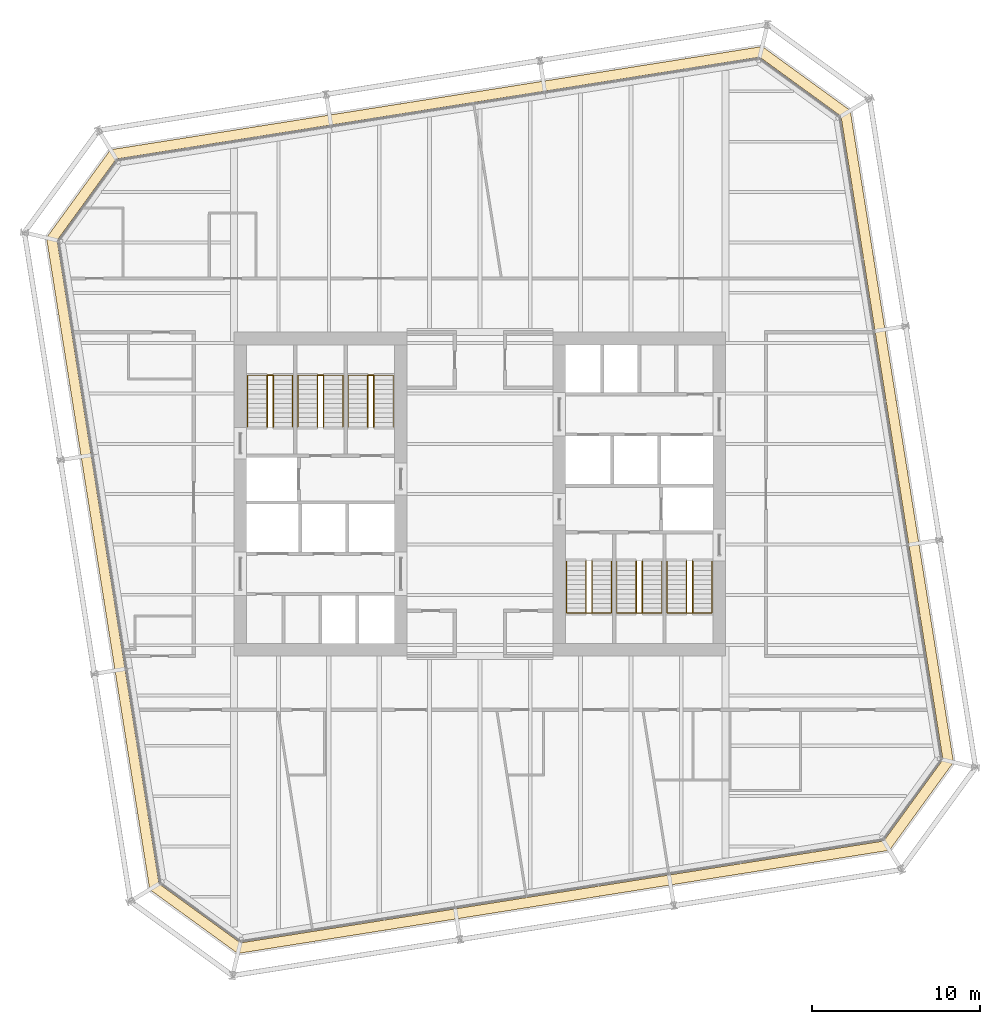
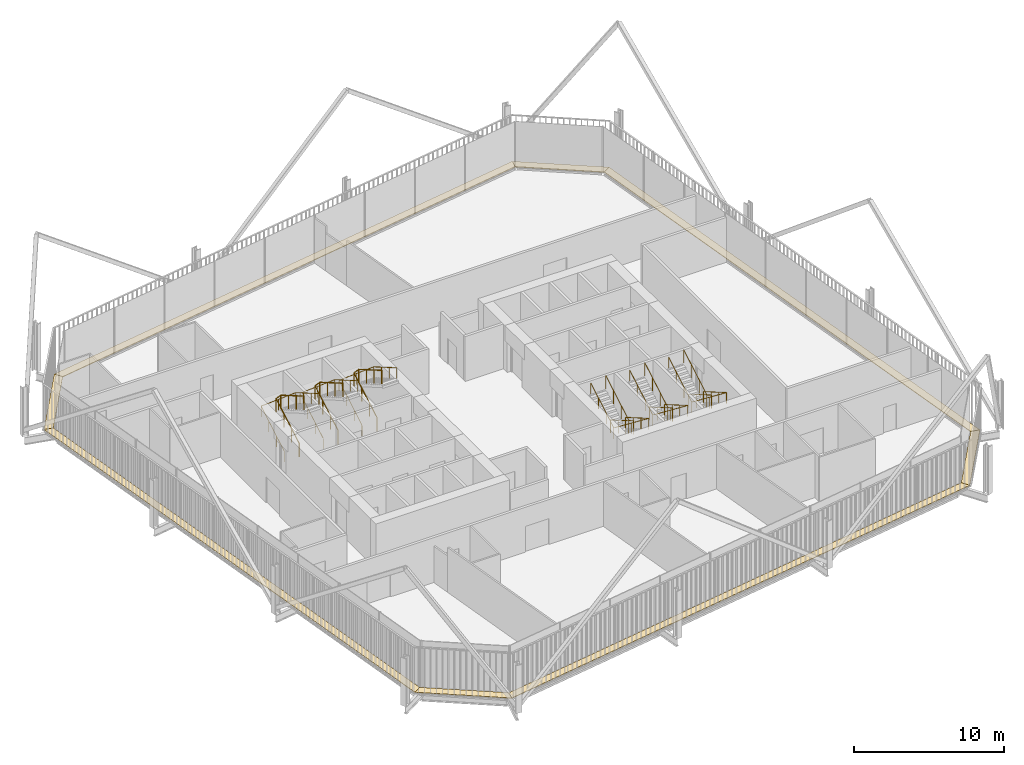
# One storey, part 22 of 22: 12 railings, 8 coverings.
"""IFC4 building model written with IfcOpenShell, lengths in metres."""

from ifc_helpers import new_model, si_unit, direction, frame, origin, origin_2d, place, context, subcontext, project, spatial, polyline, circle, outline, extrude, material, layer, layer_set, type_object, element, save


model = new_model("IFC4")

# Units and contexts
model_context = context("Model", 3, precision=1e-05, world=origin(), true_north=direction((0.0, 1.0)))
body_context = subcontext(model_context, "Body", "Model", "MODEL_VIEW")
ifc_project = project(units=[si_unit("LENGTHUNIT", "METRE"), si_unit("AREAUNIT", "SQUARE_METRE"), si_unit("VOLUMEUNIT", "CUBIC_METRE"), si_unit("PLANEANGLEUNIT", "RADIAN"), si_unit("MASSUNIT", "GRAM", prefix="KILO")], contexts=[model_context])

# Site, building, storey
site_placement = place(None, origin())
site = spatial("IfcSite", under=ifc_project, at=site_placement, CompositionType="ELEMENT")
building_placement = place(site_placement, origin())
building = spatial("IfcBuilding", under=site, at=building_placement, Name="Millrace Tower", CompositionType="ELEMENT")
storey_placement = place(building_placement, frame((0.0, 0.0, 168.5)))
storey = spatial("IfcBuildingStorey", under=building, at=storey_placement, Name="L38", CompositionType="ELEMENT", Elevation=168.5)

# Coverings
ifc_material_1 = material(Name="Steel ASTM A36", Category="steel")
ifc_layer = layer(ifc_material_1, 0.050048828125)
ifc_layer_set = layer_set([ifc_layer], Name="Steel ASTM A36")
covering_type = type_object("IfcCoveringType", Name="CAVITY CATWALK steel grating", PredefinedType="FLOORING", material=ifc_layer_set)
placement = place(storey_placement, frame((0.0, 0.0, 0.10009765625)))
element("IfcCovering", 1, at=placement, inside=storey, type_object=covering_type, Name="Cavity catwalk grating C-F01 L38 1", PredefinedType="FLOORING", context=body_context, shape_type="SweptSolid", body=[
    extrude(outline(polyline([(-19.67578125, -23.562255859375), (-14.425048828125, -27.376953125), (-14.2734375, -26.74560546875), (-19.1220703125, -23.222900390625), (-19.67578125, -23.562255859375)])), origin(), (0.0, 0.0, 1.0), 0.0498046875),
])
element("IfcCovering", 2, at=placement, inside=storey, type_object=covering_type, Name="Cavity catwalk grating C-F02 L38 1", PredefinedType="FLOORING", context=body_context, shape_type="SweptSolid", body=[
    extrude(outline(polyline([(-14.425048828125, -27.376953125), (24.412109375, -21.225830078125), (24.07275390625, -20.672119140625), (-14.2734375, -26.74560546875), (-14.425048828125, -27.376953125)])), origin(), (0.0, 0.0, 1.0), 0.0498046875),
])
element("IfcCovering", 3, at=placement, inside=storey, type_object=covering_type, Name="Cavity catwalk grating C-F03 L38 1", PredefinedType="FLOORING", context=body_context, shape_type="SweptSolid", body=[
    extrude(outline(polyline([(24.412109375, -21.225830078125), (28.22705078125, -15.97509765625), (27.595458984375, -15.823486328125), (24.07275390625, -20.672119140625), (24.412109375, -21.225830078125)])), origin(), (0.0, 0.0, 1.0), 0.0498046875),
])
element("IfcCovering", 4, at=placement, inside=storey, type_object=covering_type, Name="Cavity catwalk grating C-F04 L38 1", PredefinedType="FLOORING", context=body_context, shape_type="SweptSolid", body=[
    extrude(outline(polyline([(28.22705078125, -15.97509765625), (22.075927734375, 22.862060546875), (21.522216796875, 22.522705078125), (27.595458984375, -15.823486328125), (28.22705078125, -15.97509765625)])), origin(), (0.0, 0.0, 1.0), 0.0498046875),
])
element("IfcCovering", 5, at=placement, inside=storey, type_object=covering_type, Name="Cavity catwalk grating C-F05 L38 1", PredefinedType="FLOORING", context=body_context, shape_type="SweptSolid", body=[
    extrude(outline(polyline([(22.075927734375, 22.862060546875), (16.824951171875, 26.677001953125), (16.67333984375, 26.045654296875), (21.522216796875, 22.522705078125), (22.075927734375, 22.862060546875)])), origin(), (0.0, 0.0, 1.0), 0.0498046875),
])
element("IfcCovering", 6, at=placement, inside=storey, type_object=covering_type, Name="Cavity catwalk grating C-F06 L38 1", PredefinedType="FLOORING", context=body_context, shape_type="SweptSolid", body=[
    extrude(outline(polyline([(16.824951171875, 26.677001953125), (-22.01220703125, 20.52587890625), (-21.6728515625, 19.97216796875), (16.67333984375, 26.045654296875), (16.824951171875, 26.677001953125)])), origin(), (0.0, 0.0, 1.0), 0.0498046875),
])
element("IfcCovering", 7, at=placement, inside=storey, type_object=covering_type, Name="Cavity catwalk grating C-F07 L38 1", PredefinedType="FLOORING", context=body_context, shape_type="SweptSolid", body=[
    extrude(outline(polyline([(-22.01220703125, 20.52587890625), (-25.8271484375, 15.275146484375), (-25.195556640625, 15.12353515625), (-21.6728515625, 19.97216796875), (-22.01220703125, 20.52587890625)])), origin(), (0.0, 0.0, 1.0), 0.0498046875),
])
element("IfcCovering", 8, at=placement, inside=storey, type_object=covering_type, Name="Cavity catwalk grating C-F08 L38 1", PredefinedType="FLOORING", context=body_context, shape_type="SweptSolid", body=[
    extrude(outline(polyline([(-25.8271484375, 15.275146484375), (-19.67578125, -23.562255859375), (-19.1220703125, -23.222900390625), (-25.195556640625, 15.12353515625), (-25.8271484375, 15.275146484375)])), origin(), (0.0, 0.0, 1.0), 0.0498046875),
])

# Railings
ifc_material_2 = material(Name="Stainless steel ASTM A240 type 316", Category="steel")
railing_type_1 = type_object("IfcRailingType", Name="Stair guard 1100", PredefinedType="GUARDRAIL", material=ifc_material_2)
for number, where, name in (
    (9, (-12.679931640625, 4.0, 0.16259765625), "Stair guard 1 W L38"),
    (10, (-9.679931640625, 4.0, 0.16259765625), "Stair guard 2 W L38"),
    (11, (-6.679931640625, 4.0, 0.16259765625), "Stair guard 3 W L38"),
):
    element("IfcRailing", number, at=place(storey_placement, frame(where)), inside=storey, type_object=railing_type_1, Name=name, PredefinedType="GUARDRAIL", context=body_context, shape_type="SweptSolid", body=[
        extrude(circle(Radius=0.02392578125, at=origin_2d()), frame((0.0, 0.0, 1.076171875), z_axis=(0.0, 0.864920483161, 0.501908913857), x_axis=(-1.0, 0.0, 0.0)), (0.0, 0.0, 1.0), 3.56103515625),
        extrude(circle(Radius=0.02392578125, at=origin_2d()), frame((0.0, 3.080078125, 2.86328125), z_axis=(0.911295775139, 0.0, 0.411752365158), x_axis=(0.0, 1.0, 0.0)), (0.0, 0.0, 1.0), 0.394775390625),
        extrude(circle(Radius=0.02392578125, at=origin_2d()), frame((0.35986328125, 3.080078125, 3.02587890625), z_axis=(0.0, -0.864920483161, 0.501908913857), x_axis=(1.0, 0.0, 0.0)), (0.0, 0.0, 1.0), 3.56103515625),
        extrude(circle(Radius=0.02099609375, at=origin_2d()), origin(), (0.0, 0.0, 1.0), 1.052001953125),
        extrude(circle(Radius=0.02099609375, at=origin_2d()), frame((0.0, 1.026611328125, 0.595703125)), (0.0, 0.0, 1.0), 1.052001953125),
        extrude(circle(Radius=0.02099609375, at=origin_2d()), frame((0.0, 2.053466796875, 1.191650390625)), (0.0, 0.0, 1.0), 1.052001953125),
        extrude(circle(Radius=0.02099609375, at=origin_2d()), frame((0.0, 3.080078125, 1.787353515625)), (0.0, 0.0, 1.0), 1.052001953125),
        extrude(circle(Radius=0.02099609375, at=origin_2d()), frame((0.35986328125, 3.080078125, 1.949951171875)), (0.0, 0.0, 1.0), 1.052001953125),
        extrude(circle(Radius=0.02099609375, at=origin_2d()), frame((0.35986328125, 2.053466796875, 2.545654296875)), (0.0, 0.0, 1.0), 1.052001953125),
        extrude(circle(Radius=0.02099609375, at=origin_2d()), frame((0.35986328125, 1.026611328125, 3.1416015625)), (0.0, 0.0, 1.0), 1.052001953125),
        extrude(circle(Radius=0.02099609375, at=origin_2d()), frame((0.35986328125, 0.0, 3.7373046875)), (0.0, 0.0, 1.0), 1.052001953125),
    ])
for number, where, name in (
    (12, (12.679931640625, -4.0, 0.16259765625), "Stair guard 1 E L38"),
    (13, (9.679931640625, -4.0, 0.16259765625), "Stair guard 2 E L38"),
    (14, (6.679931640625, -4.0, 0.16259765625), "Stair guard 3 E L38"),
):
    element("IfcRailing", number, at=place(storey_placement, frame(where)), inside=storey, type_object=railing_type_1, Name=name, PredefinedType="GUARDRAIL", context=body_context, shape_type="SweptSolid", body=[
        extrude(circle(Radius=0.02392578125, at=origin_2d()), frame((0.0, 0.0, 1.076171875), z_axis=(0.0, -0.864920483161, 0.501908913857), x_axis=(1.0, 0.0, 0.0)), (0.0, 0.0, 1.0), 3.56103515625),
        extrude(circle(Radius=0.02392578125, at=origin_2d()), frame((0.0, -3.080078125, 2.86328125), z_axis=(-0.911295775139, 0.0, 0.411752365158), x_axis=(0.0, -1.0, 0.0)), (0.0, 0.0, 1.0), 0.394775390625),
        extrude(circle(Radius=0.02392578125, at=origin_2d()), frame((-0.35986328125, -3.080078125, 3.02587890625), z_axis=(0.0, 0.864920483161, 0.501908913857), x_axis=(-1.0, 0.0, 0.0)), (0.0, 0.0, 1.0), 3.56103515625),
        extrude(circle(Radius=0.02099609375, at=origin_2d()), origin(), (0.0, 0.0, 1.0), 1.052001953125),
        extrude(circle(Radius=0.02099609375, at=origin_2d()), frame((0.0, -1.026611328125, 0.595703125)), (0.0, 0.0, 1.0), 1.052001953125),
        extrude(circle(Radius=0.02099609375, at=origin_2d()), frame((0.0, -2.053466796875, 1.191650390625)), (0.0, 0.0, 1.0), 1.052001953125),
        extrude(circle(Radius=0.02099609375, at=origin_2d()), frame((0.0, -3.080078125, 1.787353515625)), (0.0, 0.0, 1.0), 1.052001953125),
        extrude(circle(Radius=0.02099609375, at=origin_2d()), frame((-0.35986328125, -3.080078125, 1.949951171875)), (0.0, 0.0, 1.0), 1.052001953125),
        extrude(circle(Radius=0.02099609375, at=origin_2d()), frame((-0.35986328125, -2.053466796875, 2.545654296875)), (0.0, 0.0, 1.0), 1.052001953125),
        extrude(circle(Radius=0.02099609375, at=origin_2d()), frame((-0.35986328125, -1.026611328125, 3.1416015625)), (0.0, 0.0, 1.0), 1.052001953125),
        extrude(circle(Radius=0.02099609375, at=origin_2d()), frame((-0.35986328125, 0.0, 3.7373046875)), (0.0, 0.0, 1.0), 1.052001953125),
    ])
ifc_material_3 = material(Name="Stainless steel ASTM A240 type 316", Category="steel")
railing_type_2 = type_object("IfcRailingType", Name="Stair handrail 900", PredefinedType="HANDRAIL", material=ifc_material_3)
railing_1_placement = place(storey_placement, frame((-13.840087890625, 4.0, 0.16259765625)))
element("IfcRailing", 15, at=railing_1_placement, inside=storey, type_object=railing_type_2, Name="Stair handrail 1 W L38", PredefinedType="HANDRAIL", context=body_context, shape_type="SweptSolid", body=[
    extrude(circle(Radius=0.02392578125, at=origin_2d()), frame((0.0, 0.0, 0.8759765625), z_axis=(0.0, 0.864920483161, 0.501908913857), x_axis=(-1.0, 0.0, 0.0)), (0.0, 0.0, 1.0), 3.56103515625),
    extrude(circle(Radius=0.02392578125, at=origin_2d()), frame((0.0, 3.080078125, 2.6630859375), z_axis=(0.998164834547, 0.0, 0.060555454528), x_axis=(0.0, 1.0, 0.0)), (0.0, 0.0, 1.0), 2.68505859375),
    extrude(circle(Radius=0.02392578125, at=origin_2d()), frame((2.68017578125, 3.080078125, 2.82568359375), z_axis=(0.0, -0.864920483161, 0.501908913857), x_axis=(1.0, 0.0, 0.0)), (0.0, 0.0, 1.0), 3.56103515625),
    extrude(circle(Radius=0.02099609375, at=origin_2d()), origin(), (0.0, 0.0, 1.0), 0.851806640625),
    extrude(circle(Radius=0.02099609375, at=origin_2d()), frame((0.0, 1.026611328125, 0.595703125)), (0.0, 0.0, 1.0), 0.851806640625),
    extrude(circle(Radius=0.02099609375, at=origin_2d()), frame((0.0, 2.053466796875, 1.191650390625)), (0.0, 0.0, 1.0), 0.851806640625),
    extrude(circle(Radius=0.02099609375, at=origin_2d()), frame((0.0, 3.080078125, 1.787353515625)), (0.0, 0.0, 1.0), 0.851806640625),
    extrude(circle(Radius=0.02099609375, at=origin_2d()), frame((1.340087890625, 3.080078125, 1.86865234375)), (0.0, 0.0, 1.0), 0.851806640625),
    extrude(circle(Radius=0.02099609375, at=origin_2d()), frame((2.68017578125, 3.080078125, 1.949951171875)), (0.0, 0.0, 1.0), 0.851806640625),
    extrude(circle(Radius=0.02099609375, at=origin_2d()), frame((2.68017578125, 2.053466796875, 2.545654296875)), (0.0, 0.0, 1.0), 0.851806640625),
    extrude(circle(Radius=0.02099609375, at=origin_2d()), frame((2.68017578125, 1.026611328125, 3.1416015625)), (0.0, 0.0, 1.0), 0.851806640625),
    extrude(circle(Radius=0.02099609375, at=origin_2d()), frame((2.68017578125, 0.0, 3.7373046875)), (0.0, 0.0, 1.0), 0.851806640625),
])
railing_2_placement = place(storey_placement, frame((-10.840087890625, 4.0, 0.16259765625)))
element("IfcRailing", 16, at=railing_2_placement, inside=storey, type_object=railing_type_2, Name="Stair handrail 2 W L38", PredefinedType="HANDRAIL", context=body_context, shape_type="SweptSolid", body=[
    extrude(circle(Radius=0.02392578125, at=origin_2d()), frame((0.0, 0.0, 0.8759765625), z_axis=(0.0, 0.864920483161, 0.501908913857), x_axis=(-1.0, 0.0, 0.0)), (0.0, 0.0, 1.0), 3.56103515625),
    extrude(circle(Radius=0.02392578125, at=origin_2d()), frame((0.0, 3.080078125, 2.6630859375), z_axis=(0.998164834547, 0.0, 0.060555454528), x_axis=(0.0, 1.0, 0.0)), (0.0, 0.0, 1.0), 2.68505859375),
    extrude(circle(Radius=0.02392578125, at=origin_2d()), frame((2.68017578125, 3.080078125, 2.82568359375), z_axis=(0.0, -0.864920483161, 0.501908913857), x_axis=(1.0, 0.0, 0.0)), (0.0, 0.0, 1.0), 3.56103515625),
    extrude(circle(Radius=0.02099609375, at=origin_2d()), origin(), (0.0, 0.0, 1.0), 0.851806640625),
    extrude(circle(Radius=0.02099609375, at=origin_2d()), frame((0.0, 1.026611328125, 0.595703125)), (0.0, 0.0, 1.0), 0.851806640625),
    extrude(circle(Radius=0.02099609375, at=origin_2d()), frame((0.0, 2.053466796875, 1.191650390625)), (0.0, 0.0, 1.0), 0.851806640625),
    extrude(circle(Radius=0.02099609375, at=origin_2d()), frame((0.0, 3.080078125, 1.787353515625)), (0.0, 0.0, 1.0), 0.851806640625),
    extrude(circle(Radius=0.02099609375, at=origin_2d()), frame((1.340087890625, 3.080078125, 1.86865234375)), (0.0, 0.0, 1.0), 0.851806640625),
    extrude(circle(Radius=0.02099609375, at=origin_2d()), frame((2.68017578125, 3.080078125, 1.949951171875)), (0.0, 0.0, 1.0), 0.851806640625),
    extrude(circle(Radius=0.02099609375, at=origin_2d()), frame((2.68017578125, 2.053466796875, 2.545654296875)), (0.0, 0.0, 1.0), 0.851806640625),
    extrude(circle(Radius=0.02099609375, at=origin_2d()), frame((2.68017578125, 1.026611328125, 3.1416015625)), (0.0, 0.0, 1.0), 0.851806640625),
    extrude(circle(Radius=0.02099609375, at=origin_2d()), frame((2.68017578125, 0.0, 3.7373046875)), (0.0, 0.0, 1.0), 0.851806640625),
])
railing_3_placement = place(storey_placement, frame((-7.840087890625, 4.0, 0.16259765625)))
element("IfcRailing", 17, at=railing_3_placement, inside=storey, type_object=railing_type_2, Name="Stair handrail 3 W L38", PredefinedType="HANDRAIL", context=body_context, shape_type="SweptSolid", body=[
    extrude(circle(Radius=0.02392578125, at=origin_2d()), frame((0.0, 0.0, 0.8759765625), z_axis=(0.0, 0.864920483161, 0.501908913857), x_axis=(-1.0, 0.0, 0.0)), (0.0, 0.0, 1.0), 3.56103515625),
    extrude(circle(Radius=0.02392578125, at=origin_2d()), frame((0.0, 3.080078125, 2.6630859375), z_axis=(0.998164834547, 0.0, 0.060555454528), x_axis=(0.0, 1.0, 0.0)), (0.0, 0.0, 1.0), 2.68505859375),
    extrude(circle(Radius=0.02392578125, at=origin_2d()), frame((2.68017578125, 3.080078125, 2.82568359375), z_axis=(0.0, -0.864920483161, 0.501908913857), x_axis=(1.0, 0.0, 0.0)), (0.0, 0.0, 1.0), 3.56103515625),
    extrude(circle(Radius=0.02099609375, at=origin_2d()), origin(), (0.0, 0.0, 1.0), 0.851806640625),
    extrude(circle(Radius=0.02099609375, at=origin_2d()), frame((0.0, 1.026611328125, 0.595703125)), (0.0, 0.0, 1.0), 0.851806640625),
    extrude(circle(Radius=0.02099609375, at=origin_2d()), frame((0.0, 2.053466796875, 1.191650390625)), (0.0, 0.0, 1.0), 0.851806640625),
    extrude(circle(Radius=0.02099609375, at=origin_2d()), frame((0.0, 3.080078125, 1.787353515625)), (0.0, 0.0, 1.0), 0.851806640625),
    extrude(circle(Radius=0.02099609375, at=origin_2d()), frame((1.340087890625, 3.080078125, 1.86865234375)), (0.0, 0.0, 1.0), 0.851806640625),
    extrude(circle(Radius=0.02099609375, at=origin_2d()), frame((2.68017578125, 3.080078125, 1.949951171875)), (0.0, 0.0, 1.0), 0.851806640625),
    extrude(circle(Radius=0.02099609375, at=origin_2d()), frame((2.68017578125, 2.053466796875, 2.545654296875)), (0.0, 0.0, 1.0), 0.851806640625),
    extrude(circle(Radius=0.02099609375, at=origin_2d()), frame((2.68017578125, 1.026611328125, 3.1416015625)), (0.0, 0.0, 1.0), 0.851806640625),
    extrude(circle(Radius=0.02099609375, at=origin_2d()), frame((2.68017578125, 0.0, 3.7373046875)), (0.0, 0.0, 1.0), 0.851806640625),
])
railing_4_placement = place(storey_placement, frame((13.840087890625, -4.0, 0.16259765625)))
element("IfcRailing", 18, at=railing_4_placement, inside=storey, type_object=railing_type_2, Name="Stair handrail 1 E L38", PredefinedType="HANDRAIL", context=body_context, shape_type="SweptSolid", body=[
    extrude(circle(Radius=0.02392578125, at=origin_2d()), frame((0.0, 0.0, 0.8759765625), z_axis=(0.0, -0.864920483161, 0.501908913857), x_axis=(1.0, 0.0, 0.0)), (0.0, 0.0, 1.0), 3.56103515625),
    extrude(circle(Radius=0.02392578125, at=origin_2d()), frame((0.0, -3.080078125, 2.6630859375), z_axis=(-0.998164834547, 0.0, 0.060555454528), x_axis=(0.0, -1.0, 0.0)), (0.0, 0.0, 1.0), 2.68505859375),
    extrude(circle(Radius=0.02392578125, at=origin_2d()), frame((-2.68017578125, -3.080078125, 2.82568359375), z_axis=(0.0, 0.864920483161, 0.501908913857), x_axis=(-1.0, 0.0, 0.0)), (0.0, 0.0, 1.0), 3.56103515625),
    extrude(circle(Radius=0.02099609375, at=origin_2d()), origin(), (0.0, 0.0, 1.0), 0.851806640625),
    extrude(circle(Radius=0.02099609375, at=origin_2d()), frame((0.0, -1.026611328125, 0.595703125)), (0.0, 0.0, 1.0), 0.851806640625),
    extrude(circle(Radius=0.02099609375, at=origin_2d()), frame((0.0, -2.053466796875, 1.191650390625)), (0.0, 0.0, 1.0), 0.851806640625),
    extrude(circle(Radius=0.02099609375, at=origin_2d()), frame((0.0, -3.080078125, 1.787353515625)), (0.0, 0.0, 1.0), 0.851806640625),
    extrude(circle(Radius=0.02099609375, at=origin_2d()), frame((-1.340087890625, -3.080078125, 1.86865234375)), (0.0, 0.0, 1.0), 0.851806640625),
    extrude(circle(Radius=0.02099609375, at=origin_2d()), frame((-2.68017578125, -3.080078125, 1.949951171875)), (0.0, 0.0, 1.0), 0.851806640625),
    extrude(circle(Radius=0.02099609375, at=origin_2d()), frame((-2.68017578125, -2.053466796875, 2.545654296875)), (0.0, 0.0, 1.0), 0.851806640625),
    extrude(circle(Radius=0.02099609375, at=origin_2d()), frame((-2.68017578125, -1.026611328125, 3.1416015625)), (0.0, 0.0, 1.0), 0.851806640625),
    extrude(circle(Radius=0.02099609375, at=origin_2d()), frame((-2.68017578125, 0.0, 3.7373046875)), (0.0, 0.0, 1.0), 0.851806640625),
])
railing_5_placement = place(storey_placement, frame((10.840087890625, -4.0, 0.16259765625)))
element("IfcRailing", 19, at=railing_5_placement, inside=storey, type_object=railing_type_2, Name="Stair handrail 2 E L38", PredefinedType="HANDRAIL", context=body_context, shape_type="SweptSolid", body=[
    extrude(circle(Radius=0.02392578125, at=origin_2d()), frame((0.0, 0.0, 0.8759765625), z_axis=(0.0, -0.864920483161, 0.501908913857), x_axis=(1.0, 0.0, 0.0)), (0.0, 0.0, 1.0), 3.56103515625),
    extrude(circle(Radius=0.02392578125, at=origin_2d()), frame((0.0, -3.080078125, 2.6630859375), z_axis=(-0.998164834547, 0.0, 0.060555454528), x_axis=(0.0, -1.0, 0.0)), (0.0, 0.0, 1.0), 2.68505859375),
    extrude(circle(Radius=0.02392578125, at=origin_2d()), frame((-2.68017578125, -3.080078125, 2.82568359375), z_axis=(0.0, 0.864920483161, 0.501908913857), x_axis=(-1.0, 0.0, 0.0)), (0.0, 0.0, 1.0), 3.56103515625),
    extrude(circle(Radius=0.02099609375, at=origin_2d()), origin(), (0.0, 0.0, 1.0), 0.851806640625),
    extrude(circle(Radius=0.02099609375, at=origin_2d()), frame((0.0, -1.026611328125, 0.595703125)), (0.0, 0.0, 1.0), 0.851806640625),
    extrude(circle(Radius=0.02099609375, at=origin_2d()), frame((0.0, -2.053466796875, 1.191650390625)), (0.0, 0.0, 1.0), 0.851806640625),
    extrude(circle(Radius=0.02099609375, at=origin_2d()), frame((0.0, -3.080078125, 1.787353515625)), (0.0, 0.0, 1.0), 0.851806640625),
    extrude(circle(Radius=0.02099609375, at=origin_2d()), frame((-1.340087890625, -3.080078125, 1.86865234375)), (0.0, 0.0, 1.0), 0.851806640625),
    extrude(circle(Radius=0.02099609375, at=origin_2d()), frame((-2.68017578125, -3.080078125, 1.949951171875)), (0.0, 0.0, 1.0), 0.851806640625),
    extrude(circle(Radius=0.02099609375, at=origin_2d()), frame((-2.68017578125, -2.053466796875, 2.545654296875)), (0.0, 0.0, 1.0), 0.851806640625),
    extrude(circle(Radius=0.02099609375, at=origin_2d()), frame((-2.68017578125, -1.026611328125, 3.1416015625)), (0.0, 0.0, 1.0), 0.851806640625),
    extrude(circle(Radius=0.02099609375, at=origin_2d()), frame((-2.68017578125, 0.0, 3.7373046875)), (0.0, 0.0, 1.0), 0.851806640625),
])
railing_6_placement = place(storey_placement, frame((7.840087890625, -4.0, 0.16259765625)))
element("IfcRailing", 20, at=railing_6_placement, inside=storey, type_object=railing_type_2, Name="Stair handrail 3 E L38", PredefinedType="HANDRAIL", context=body_context, shape_type="SweptSolid", body=[
    extrude(circle(Radius=0.02392578125, at=origin_2d()), frame((0.0, 0.0, 0.8759765625), z_axis=(0.0, -0.864920483161, 0.501908913857), x_axis=(1.0, 0.0, 0.0)), (0.0, 0.0, 1.0), 3.56103515625),
    extrude(circle(Radius=0.02392578125, at=origin_2d()), frame((0.0, -3.080078125, 2.6630859375), z_axis=(-0.998164834547, 0.0, 0.060555454528), x_axis=(0.0, -1.0, 0.0)), (0.0, 0.0, 1.0), 2.68505859375),
    extrude(circle(Radius=0.02392578125, at=origin_2d()), frame((-2.68017578125, -3.080078125, 2.82568359375), z_axis=(0.0, 0.864920483161, 0.501908913857), x_axis=(-1.0, 0.0, 0.0)), (0.0, 0.0, 1.0), 3.56103515625),
    extrude(circle(Radius=0.02099609375, at=origin_2d()), origin(), (0.0, 0.0, 1.0), 0.851806640625),
    extrude(circle(Radius=0.02099609375, at=origin_2d()), frame((0.0, -1.026611328125, 0.595703125)), (0.0, 0.0, 1.0), 0.851806640625),
    extrude(circle(Radius=0.02099609375, at=origin_2d()), frame((0.0, -2.053466796875, 1.191650390625)), (0.0, 0.0, 1.0), 0.851806640625),
    extrude(circle(Radius=0.02099609375, at=origin_2d()), frame((0.0, -3.080078125, 1.787353515625)), (0.0, 0.0, 1.0), 0.851806640625),
    extrude(circle(Radius=0.02099609375, at=origin_2d()), frame((-1.340087890625, -3.080078125, 1.86865234375)), (0.0, 0.0, 1.0), 0.851806640625),
    extrude(circle(Radius=0.02099609375, at=origin_2d()), frame((-2.68017578125, -3.080078125, 1.949951171875)), (0.0, 0.0, 1.0), 0.851806640625),
    extrude(circle(Radius=0.02099609375, at=origin_2d()), frame((-2.68017578125, -2.053466796875, 2.545654296875)), (0.0, 0.0, 1.0), 0.851806640625),
    extrude(circle(Radius=0.02099609375, at=origin_2d()), frame((-2.68017578125, -1.026611328125, 3.1416015625)), (0.0, 0.0, 1.0), 0.851806640625),
    extrude(circle(Radius=0.02099609375, at=origin_2d()), frame((-2.68017578125, 0.0, 3.7373046875)), (0.0, 0.0, 1.0), 0.851806640625),
])

save(model, "model.ifc")
